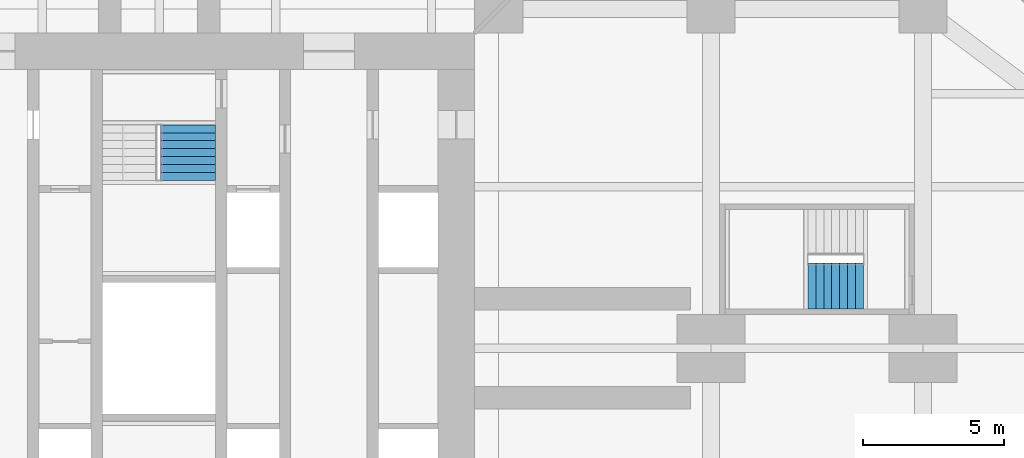
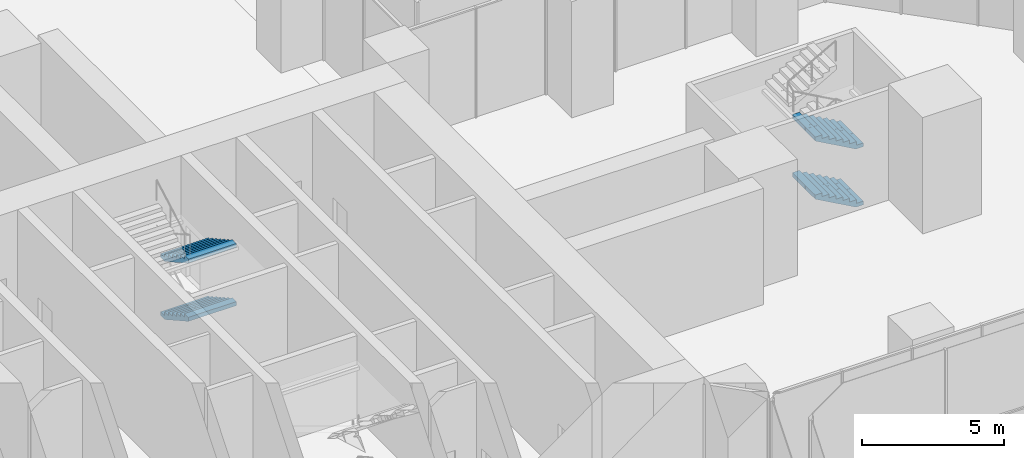
# One storey, part 21 of 23: 4 stair flights, 2 elements without a shape of their own.
"""IFC4 building model written with IfcOpenShell, lengths in metres."""

from ifc_helpers import new_model, si_unit, direction, frame, origin, place, context, subcontext, project, spatial, polyline, outline, extrude, material, type_object, element, aggregate, save


model = new_model("IFC4")

# Units and contexts
model_context = context("Model", 3, precision=1e-05, world=origin(), true_north=direction((0.0, 1.0)))
body_context = subcontext(model_context, "Body", "Model", "MODEL_VIEW")
ifc_project = project(units=[si_unit("LENGTHUNIT", "METRE"), si_unit("AREAUNIT", "SQUARE_METRE"), si_unit("VOLUMEUNIT", "CUBIC_METRE"), si_unit("PLANEANGLEUNIT", "RADIAN"), si_unit("MASSUNIT", "GRAM", prefix="KILO")], contexts=[model_context])

# Site, building, storey
site_placement = place(None, origin())
site = spatial("IfcSite", under=ifc_project, at=site_placement, CompositionType="ELEMENT")
building_placement = place(site_placement, origin())
building = spatial("IfcBuilding", under=site, at=building_placement, Name="Mizan Broadcast Tower", CompositionType="ELEMENT")
storey_placement = place(building_placement, frame((0.0, 0.0, 23.0)))
storey = spatial("IfcBuildingStorey", under=building, at=storey_placement, Name="L03", CompositionType="ELEMENT", Elevation=23.0)

# Stair, stair flights
ifc_material_1 = material(Name="Concrete C40/50", Category="concrete")
stair_type = type_object("IfcStairType", Name="EXIT STAIR", PredefinedType="HALF_TURN_STAIR", material=ifc_material_1)
stair_1_placement = place(storey_placement, origin())
stair_1 = element("IfcStair", 1, at=stair_1_placement, inside=storey, type_object=stair_type, Name="Stair B L03", PredefinedType="HALF_TURN_STAIR")
ifc_material_2 = material(Name="Concrete C40/50", Category="concrete")
stair_flight_type = type_object("IfcStairFlightType", Name="EXIT STAIR FLIGHT", PredefinedType="STRAIGHT", material=ifc_material_2)
stair_flight_1_placement = place(storey_placement, frame((1.02490234375, 7.89990234375, 0.0), z_axis=(0.0, 0.0, 1.0), x_axis=(0.0, -1.0, 0.0)))
stair_flight_1 = element("IfcStairFlight", 2, at=stair_flight_1_placement, type_object=stair_flight_type, Name="B flight 1", NumberOfRisers=8, NumberOfTreads=7, PredefinedType="STRAIGHT", RiserHeight=0.15625, TreadLength=0.28, context=body_context, shape_type="SweptSolid", body=[
    extrude(outline(polyline([(0.0, 0.0), (0.0, 0.15625), (0.280029296875, 0.15625), (0.280029296875, 0.3125), (0.56005859375, 0.3125), (0.56005859375, 0.46875), (0.840087890625, 0.46875), (0.840087890625, 0.625), (1.1201171875, 0.625), (1.1201171875, 0.78125), (1.39990234375, 0.78125), (1.39990234375, 0.9375), (1.679931640625, 0.9375), (1.679931640625, 1.09375), (1.9599609375, 1.09375), (1.9599609375, 1.25), (1.9599609375, 0.922119140625), (0.3076171875, 0.0), (0.0, 0.0)])), frame((0.0, 0.97509765625, 0.0), z_axis=(0.0, -1.0, 0.0), x_axis=(1.0, 0.0, 0.0)), (0.0, 0.0, 1.0), 0.4873046875),
    extrude(outline(polyline([(0.0, 0.0), (0.0, 0.15625), (0.280029296875, 0.15625), (0.280029296875, 0.3125), (0.56005859375, 0.3125), (0.56005859375, 0.46875), (0.840087890625, 0.46875), (0.840087890625, 0.625), (1.1201171875, 0.625), (1.1201171875, 0.78125), (1.39990234375, 0.78125), (1.39990234375, 0.9375), (1.679931640625, 0.9375), (1.679931640625, 1.09375), (1.9599609375, 1.09375), (1.9599609375, 1.25), (1.9599609375, 0.922119140625), (0.3076171875, 0.0), (0.0, 0.0)])), frame((0.0, 0.4873046875, 0.0), z_axis=(0.0, -1.0, 0.0), x_axis=(1.0, 0.0, 0.0)), (0.0, 0.0, 1.0), 0.2431640625),
    extrude(outline(polyline([(0.0, 0.0), (0.0, 0.15625), (0.280029296875, 0.15625), (0.280029296875, 0.3125), (0.56005859375, 0.3125), (0.56005859375, 0.46875), (0.840087890625, 0.46875), (0.840087890625, 0.625), (1.1201171875, 0.625), (1.1201171875, 0.78125), (1.39990234375, 0.78125), (1.39990234375, 0.9375), (1.679931640625, 0.9375), (1.679931640625, 1.09375), (1.9599609375, 1.09375), (1.9599609375, 1.25), (1.9599609375, 0.922119140625), (0.3076171875, 0.0), (0.0, 0.0)])), frame((0.0, 0.24365234375, 0.0), z_axis=(0.0, -1.0, 0.0), x_axis=(1.0, 0.0, 0.0)), (0.0, 0.0, 1.0), 0.121337890625),
    extrude(outline(polyline([(0.0, 0.0), (0.0, 0.15625), (0.280029296875, 0.15625), (0.280029296875, 0.3125), (0.56005859375, 0.3125), (0.56005859375, 0.46875), (0.840087890625, 0.46875), (0.840087890625, 0.625), (1.1201171875, 0.625), (1.1201171875, 0.78125), (1.39990234375, 0.78125), (1.39990234375, 0.9375), (1.679931640625, 0.9375), (1.679931640625, 1.09375), (1.9599609375, 1.09375), (1.9599609375, 1.25), (1.9599609375, 0.922119140625), (0.3076171875, 0.0), (0.0, 0.0)])), frame((0.0, 0.121826171875, 0.0), z_axis=(0.0, -1.0, 0.0), x_axis=(1.0, 0.0, 0.0)), (0.0, 0.0, 1.0), 0.060546875),
    extrude(outline(polyline([(0.0, 0.0), (0.0, 0.15625), (0.280029296875, 0.15625), (0.280029296875, 0.3125), (0.56005859375, 0.3125), (0.56005859375, 0.46875), (0.840087890625, 0.46875), (0.840087890625, 0.625), (1.1201171875, 0.625), (1.1201171875, 0.78125), (1.39990234375, 0.78125), (1.39990234375, 0.9375), (1.679931640625, 0.9375), (1.679931640625, 1.09375), (1.9599609375, 1.09375), (1.9599609375, 1.25), (1.9599609375, 0.922119140625), (0.3076171875, 0.0), (0.0, 0.0)])), frame((0.0, 0.060791015625, 0.0), z_axis=(0.0, -1.0, 0.0), x_axis=(1.0, 0.0, 0.0)), (0.0, 0.0, 1.0), 0.030029296875),
    extrude(outline(polyline([(0.0, 0.0), (0.0, 0.15625), (0.280029296875, 0.15625), (0.280029296875, 0.3125), (0.56005859375, 0.3125), (0.56005859375, 0.46875), (0.840087890625, 0.46875), (0.840087890625, 0.625), (1.1201171875, 0.625), (1.1201171875, 0.78125), (1.39990234375, 0.78125), (1.39990234375, 0.9375), (1.679931640625, 0.9375), (1.679931640625, 1.09375), (1.9599609375, 1.09375), (1.9599609375, 1.25), (1.9599609375, 0.922119140625), (0.3076171875, 0.0), (0.0, 0.0)])), frame((0.0, 0.0302734375, 0.0), z_axis=(0.0, -1.0, 0.0), x_axis=(1.0, 0.0, 0.0)), (0.0, 0.0, 1.0), 0.060302734375),
    extrude(outline(polyline([(0.0, 0.0), (0.0, 0.15625), (0.280029296875, 0.15625), (0.280029296875, 0.3125), (0.56005859375, 0.3125), (0.56005859375, 0.46875), (0.840087890625, 0.46875), (0.840087890625, 0.625), (1.1201171875, 0.625), (1.1201171875, 0.78125), (1.39990234375, 0.78125), (1.39990234375, 0.9375), (1.679931640625, 0.9375), (1.679931640625, 1.09375), (1.9599609375, 1.09375), (1.9599609375, 1.25), (1.9599609375, 0.922119140625), (0.3076171875, 0.0), (0.0, 0.0)])), frame((0.0, -0.030517578125, 0.0), z_axis=(0.0, -1.0, 0.0), x_axis=(1.0, 0.0, 0.0)), (0.0, 0.0, 1.0), 0.030029296875),
    extrude(outline(polyline([(0.0, 0.0), (0.0, 0.15625), (0.280029296875, 0.15625), (0.280029296875, 0.3125), (0.56005859375, 0.3125), (0.56005859375, 0.46875), (0.840087890625, 0.46875), (0.840087890625, 0.625), (1.1201171875, 0.625), (1.1201171875, 0.78125), (1.39990234375, 0.78125), (1.39990234375, 0.9375), (1.679931640625, 0.9375), (1.679931640625, 1.09375), (1.9599609375, 1.09375), (1.9599609375, 1.25), (1.9599609375, 0.922119140625), (0.3076171875, 0.0), (0.0, 0.0)])), frame((0.0, -0.06103515625, 0.0), z_axis=(0.0, -1.0, 0.0), x_axis=(1.0, 0.0, 0.0)), (0.0, 0.0, 1.0), 0.060546875),
    extrude(outline(polyline([(0.0, 0.0), (0.0, 0.15625), (0.280029296875, 0.15625), (0.280029296875, 0.3125), (0.56005859375, 0.3125), (0.56005859375, 0.46875), (0.840087890625, 0.46875), (0.840087890625, 0.625), (1.1201171875, 0.625), (1.1201171875, 0.78125), (1.39990234375, 0.78125), (1.39990234375, 0.9375), (1.679931640625, 0.9375), (1.679931640625, 1.09375), (1.9599609375, 1.09375), (1.9599609375, 1.25), (1.9599609375, 0.922119140625), (0.3076171875, 0.0), (0.0, 0.0)])), frame((0.0, -0.1220703125, 0.0), z_axis=(0.0, -1.0, 0.0), x_axis=(1.0, 0.0, 0.0)), (0.0, 0.0, 1.0), 0.121337890625),
    extrude(outline(polyline([(0.0, 0.0), (0.0, 0.15625), (0.280029296875, 0.15625), (0.280029296875, 0.3125), (0.56005859375, 0.3125), (0.56005859375, 0.46875), (0.840087890625, 0.46875), (0.840087890625, 0.625), (1.1201171875, 0.625), (1.1201171875, 0.78125), (1.39990234375, 0.78125), (1.39990234375, 0.9375), (1.679931640625, 0.9375), (1.679931640625, 1.09375), (1.9599609375, 1.09375), (1.9599609375, 1.25), (1.9599609375, 0.922119140625), (0.3076171875, 0.0), (0.0, 0.0)])), frame((0.0, -0.243896484375, 0.0), z_axis=(0.0, -1.0, 0.0), x_axis=(1.0, 0.0, 0.0)), (0.0, 0.0, 1.0), 0.2431640625),
    extrude(outline(polyline([(0.0, 0.0), (0.0, 0.15625), (0.280029296875, 0.15625), (0.280029296875, 0.3125), (0.56005859375, 0.3125), (0.56005859375, 0.46875), (0.840087890625, 0.46875), (0.840087890625, 0.625), (1.1201171875, 0.625), (1.1201171875, 0.78125), (1.39990234375, 0.78125), (1.39990234375, 0.9375), (1.679931640625, 0.9375), (1.679931640625, 1.09375), (1.9599609375, 1.09375), (1.9599609375, 1.25), (1.9599609375, 0.922119140625), (0.3076171875, 0.0), (0.0, 0.0)])), frame((0.0, -0.487548828125, 0.0), z_axis=(0.0, -1.0, 0.0), x_axis=(1.0, 0.0, 0.0)), (0.0, 0.0, 1.0), 0.4873046875),
])
stair_flight_2_placement = place(storey_placement, frame((1.02490234375, 7.89990234375, 2.5), z_axis=(0.0, 0.0, 1.0), x_axis=(0.0, -1.0, 0.0)))
stair_flight_2 = element("IfcStairFlight", 3, at=stair_flight_2_placement, type_object=stair_flight_type, Name="B flight 3", NumberOfRisers=8, NumberOfTreads=7, PredefinedType="STRAIGHT", RiserHeight=0.15625, TreadLength=0.28, context=body_context, shape_type="SweptSolid", body=[
    extrude(outline(polyline([(0.0, 0.0), (0.0, 0.15625), (0.280029296875, 0.15625), (0.280029296875, 0.3125), (0.56005859375, 0.3125), (0.56005859375, 0.46875), (0.840087890625, 0.46875), (0.840087890625, 0.625), (1.1201171875, 0.625), (1.1201171875, 0.78125), (1.39990234375, 0.78125), (1.39990234375, 0.9375), (1.679931640625, 0.9375), (1.679931640625, 1.09375), (1.9599609375, 1.09375), (1.9599609375, 1.25), (1.9599609375, 0.922119140625), (0.3076171875, 0.0), (0.0, 0.0)])), frame((0.0, 0.97509765625, 0.0), z_axis=(0.0, -1.0, 0.0), x_axis=(1.0, 0.0, 0.0)), (0.0, 0.0, 1.0), 0.4873046875),
    extrude(outline(polyline([(0.0, 0.0), (0.0, 0.15625), (0.280029296875, 0.15625), (0.280029296875, 0.3125), (0.56005859375, 0.3125), (0.56005859375, 0.46875), (0.840087890625, 0.46875), (0.840087890625, 0.625), (1.1201171875, 0.625), (1.1201171875, 0.78125), (1.39990234375, 0.78125), (1.39990234375, 0.9375), (1.679931640625, 0.9375), (1.679931640625, 1.09375), (1.9599609375, 1.09375), (1.9599609375, 1.25), (1.9599609375, 0.922119140625), (0.3076171875, 0.0), (0.0, 0.0)])), frame((0.0, 0.4873046875, 0.0), z_axis=(0.0, -1.0, 0.0), x_axis=(1.0, 0.0, 0.0)), (0.0, 0.0, 1.0), 0.2431640625),
    extrude(outline(polyline([(0.0, 0.0), (0.0, 0.15625), (0.280029296875, 0.15625), (0.280029296875, 0.3125), (0.56005859375, 0.3125), (0.56005859375, 0.46875), (0.840087890625, 0.46875), (0.840087890625, 0.625), (1.1201171875, 0.625), (1.1201171875, 0.78125), (1.39990234375, 0.78125), (1.39990234375, 0.9375), (1.679931640625, 0.9375), (1.679931640625, 1.09375), (1.9599609375, 1.09375), (1.9599609375, 1.25), (1.9599609375, 0.922119140625), (0.3076171875, 0.0), (0.0, 0.0)])), frame((0.0, 0.24365234375, 0.0), z_axis=(0.0, -1.0, 0.0), x_axis=(1.0, 0.0, 0.0)), (0.0, 0.0, 1.0), 0.121337890625),
    extrude(outline(polyline([(0.0, 0.0), (0.0, 0.15625), (0.280029296875, 0.15625), (0.280029296875, 0.3125), (0.56005859375, 0.3125), (0.56005859375, 0.46875), (0.840087890625, 0.46875), (0.840087890625, 0.625), (1.1201171875, 0.625), (1.1201171875, 0.78125), (1.39990234375, 0.78125), (1.39990234375, 0.9375), (1.679931640625, 0.9375), (1.679931640625, 1.09375), (1.9599609375, 1.09375), (1.9599609375, 1.25), (1.9599609375, 0.922119140625), (0.3076171875, 0.0), (0.0, 0.0)])), frame((0.0, 0.121826171875, 0.0), z_axis=(0.0, -1.0, 0.0), x_axis=(1.0, 0.0, 0.0)), (0.0, 0.0, 1.0), 0.060546875),
    extrude(outline(polyline([(0.0, 0.0), (0.0, 0.15625), (0.280029296875, 0.15625), (0.280029296875, 0.3125), (0.56005859375, 0.3125), (0.56005859375, 0.46875), (0.840087890625, 0.46875), (0.840087890625, 0.625), (1.1201171875, 0.625), (1.1201171875, 0.78125), (1.39990234375, 0.78125), (1.39990234375, 0.9375), (1.679931640625, 0.9375), (1.679931640625, 1.09375), (1.9599609375, 1.09375), (1.9599609375, 1.25), (1.9599609375, 0.922119140625), (0.3076171875, 0.0), (0.0, 0.0)])), frame((0.0, 0.060791015625, 0.0), z_axis=(0.0, -1.0, 0.0), x_axis=(1.0, 0.0, 0.0)), (0.0, 0.0, 1.0), 0.030029296875),
    extrude(outline(polyline([(0.0, 0.0), (0.0, 0.15625), (0.280029296875, 0.15625), (0.280029296875, 0.3125), (0.56005859375, 0.3125), (0.56005859375, 0.46875), (0.840087890625, 0.46875), (0.840087890625, 0.625), (1.1201171875, 0.625), (1.1201171875, 0.78125), (1.39990234375, 0.78125), (1.39990234375, 0.9375), (1.679931640625, 0.9375), (1.679931640625, 1.09375), (1.9599609375, 1.09375), (1.9599609375, 1.25), (1.9599609375, 0.922119140625), (0.3076171875, 0.0), (0.0, 0.0)])), frame((0.0, 0.0302734375, 0.0), z_axis=(0.0, -1.0, 0.0), x_axis=(1.0, 0.0, 0.0)), (0.0, 0.0, 1.0), 0.060302734375),
    extrude(outline(polyline([(0.0, 0.0), (0.0, 0.15625), (0.280029296875, 0.15625), (0.280029296875, 0.3125), (0.56005859375, 0.3125), (0.56005859375, 0.46875), (0.840087890625, 0.46875), (0.840087890625, 0.625), (1.1201171875, 0.625), (1.1201171875, 0.78125), (1.39990234375, 0.78125), (1.39990234375, 0.9375), (1.679931640625, 0.9375), (1.679931640625, 1.09375), (1.9599609375, 1.09375), (1.9599609375, 1.25), (1.9599609375, 0.922119140625), (0.3076171875, 0.0), (0.0, 0.0)])), frame((0.0, -0.030517578125, 0.0), z_axis=(0.0, -1.0, 0.0), x_axis=(1.0, 0.0, 0.0)), (0.0, 0.0, 1.0), 0.030029296875),
    extrude(outline(polyline([(0.0, 0.0), (0.0, 0.15625), (0.280029296875, 0.15625), (0.280029296875, 0.3125), (0.56005859375, 0.3125), (0.56005859375, 0.46875), (0.840087890625, 0.46875), (0.840087890625, 0.625), (1.1201171875, 0.625), (1.1201171875, 0.78125), (1.39990234375, 0.78125), (1.39990234375, 0.9375), (1.679931640625, 0.9375), (1.679931640625, 1.09375), (1.9599609375, 1.09375), (1.9599609375, 1.25), (1.9599609375, 0.922119140625), (0.3076171875, 0.0), (0.0, 0.0)])), frame((0.0, -0.06103515625, 0.0), z_axis=(0.0, -1.0, 0.0), x_axis=(1.0, 0.0, 0.0)), (0.0, 0.0, 1.0), 0.060546875),
    extrude(outline(polyline([(0.0, 0.0), (0.0, 0.15625), (0.280029296875, 0.15625), (0.280029296875, 0.3125), (0.56005859375, 0.3125), (0.56005859375, 0.46875), (0.840087890625, 0.46875), (0.840087890625, 0.625), (1.1201171875, 0.625), (1.1201171875, 0.78125), (1.39990234375, 0.78125), (1.39990234375, 0.9375), (1.679931640625, 0.9375), (1.679931640625, 1.09375), (1.9599609375, 1.09375), (1.9599609375, 1.25), (1.9599609375, 0.922119140625), (0.3076171875, 0.0), (0.0, 0.0)])), frame((0.0, -0.1220703125, 0.0), z_axis=(0.0, -1.0, 0.0), x_axis=(1.0, 0.0, 0.0)), (0.0, 0.0, 1.0), 0.121337890625),
    extrude(outline(polyline([(0.0, 0.0), (0.0, 0.15625), (0.280029296875, 0.15625), (0.280029296875, 0.3125), (0.56005859375, 0.3125), (0.56005859375, 0.46875), (0.840087890625, 0.46875), (0.840087890625, 0.625), (1.1201171875, 0.625), (1.1201171875, 0.78125), (1.39990234375, 0.78125), (1.39990234375, 0.9375), (1.679931640625, 0.9375), (1.679931640625, 1.09375), (1.9599609375, 1.09375), (1.9599609375, 1.25), (1.9599609375, 0.922119140625), (0.3076171875, 0.0), (0.0, 0.0)])), frame((0.0, -0.243896484375, 0.0), z_axis=(0.0, -1.0, 0.0), x_axis=(1.0, 0.0, 0.0)), (0.0, 0.0, 1.0), 0.2431640625),
    extrude(outline(polyline([(0.0, 0.0), (0.0, 0.15625), (0.280029296875, 0.15625), (0.280029296875, 0.3125), (0.56005859375, 0.3125), (0.56005859375, 0.46875), (0.840087890625, 0.46875), (0.840087890625, 0.625), (1.1201171875, 0.625), (1.1201171875, 0.78125), (1.39990234375, 0.78125), (1.39990234375, 0.9375), (1.679931640625, 0.9375), (1.679931640625, 1.09375), (1.9599609375, 1.09375), (1.9599609375, 1.25), (1.9599609375, 0.922119140625), (0.3076171875, 0.0), (0.0, 0.0)])), frame((0.0, -0.487548828125, 0.0), z_axis=(0.0, -1.0, 0.0), x_axis=(1.0, 0.0, 0.0)), (0.0, 0.0, 1.0), 0.4873046875),
])
aggregate(stair_1, [stair_flight_1, stair_flight_2])

stair_2_placement = place(storey_placement, origin())
stair_2 = element("IfcStair", 4, at=stair_2_placement, inside=storey, type_object=stair_type, Name="Stair C L03", PredefinedType="HALF_TURN_STAIR")
stair_flight_3_placement = place(storey_placement, frame((24.889892578125, 2.205078125, 0.0), z_axis=(0.0, 0.0, 1.0), x_axis=(-1.0, 0.0, 0.0)))
stair_flight_3 = element("IfcStairFlight", 5, at=stair_flight_3_placement, type_object=stair_flight_type, Name="C flight 1", NumberOfRisers=8, NumberOfTreads=7, PredefinedType="STRAIGHT", RiserHeight=0.15625, TreadLength=0.28, context=body_context, shape_type="SweptSolid", body=[
    extrude(outline(polyline([(0.0, 0.0), (0.0, 0.15625), (0.280029296875, 0.15625), (0.280029296875, 0.3125), (0.56005859375, 0.3125), (0.56005859375, 0.46875), (0.840087890625, 0.46875), (0.840087890625, 0.625), (1.1201171875, 0.625), (1.1201171875, 0.78125), (1.39990234375, 0.78125), (1.39990234375, 0.9375), (1.679931640625, 0.9375), (1.679931640625, 1.09375), (1.9599609375, 1.09375), (1.9599609375, 1.25), (1.9599609375, 0.922119140625), (0.3076171875, 0.0), (0.0, 0.0)])), frame((0.0, 0.80517578125, 0.0), z_axis=(0.0, -1.0, 0.0), x_axis=(1.0, 0.0, 0.0)), (0.0, 0.0, 1.0), 0.40234375),
    extrude(outline(polyline([(0.0, 0.0), (0.0, 0.15625), (0.280029296875, 0.15625), (0.280029296875, 0.3125), (0.56005859375, 0.3125), (0.56005859375, 0.46875), (0.840087890625, 0.46875), (0.840087890625, 0.625), (1.1201171875, 0.625), (1.1201171875, 0.78125), (1.39990234375, 0.78125), (1.39990234375, 0.9375), (1.679931640625, 0.9375), (1.679931640625, 1.09375), (1.9599609375, 1.09375), (1.9599609375, 1.25), (1.9599609375, 0.922119140625), (0.3076171875, 0.0), (0.0, 0.0)])), frame((0.0, 0.40234375, 0.0), z_axis=(0.0, -1.0, 0.0), x_axis=(1.0, 0.0, 0.0)), (0.0, 0.0, 1.0), 0.20068359375),
    extrude(outline(polyline([(0.0, 0.0), (0.0, 0.15625), (0.280029296875, 0.15625), (0.280029296875, 0.3125), (0.56005859375, 0.3125), (0.56005859375, 0.46875), (0.840087890625, 0.46875), (0.840087890625, 0.625), (1.1201171875, 0.625), (1.1201171875, 0.78125), (1.39990234375, 0.78125), (1.39990234375, 0.9375), (1.679931640625, 0.9375), (1.679931640625, 1.09375), (1.9599609375, 1.09375), (1.9599609375, 1.25), (1.9599609375, 0.922119140625), (0.3076171875, 0.0), (0.0, 0.0)])), frame((0.0, 0.201171875, 0.0), z_axis=(0.0, -1.0, 0.0), x_axis=(1.0, 0.0, 0.0)), (0.0, 0.0, 1.0), 0.10009765625),
    extrude(outline(polyline([(0.0, 0.0), (0.0, 0.15625), (0.280029296875, 0.15625), (0.280029296875, 0.3125), (0.56005859375, 0.3125), (0.56005859375, 0.46875), (0.840087890625, 0.46875), (0.840087890625, 0.625), (1.1201171875, 0.625), (1.1201171875, 0.78125), (1.39990234375, 0.78125), (1.39990234375, 0.9375), (1.679931640625, 0.9375), (1.679931640625, 1.09375), (1.9599609375, 1.09375), (1.9599609375, 1.25), (1.9599609375, 0.922119140625), (0.3076171875, 0.0), (0.0, 0.0)])), frame((0.0, 0.1005859375, 0.0), z_axis=(0.0, -1.0, 0.0), x_axis=(1.0, 0.0, 0.0)), (0.0, 0.0, 1.0), 0.0498046875),
    extrude(outline(polyline([(0.0, 0.0), (0.0, 0.15625), (0.280029296875, 0.15625), (0.280029296875, 0.3125), (0.56005859375, 0.3125), (0.56005859375, 0.46875), (0.840087890625, 0.46875), (0.840087890625, 0.625), (1.1201171875, 0.625), (1.1201171875, 0.78125), (1.39990234375, 0.78125), (1.39990234375, 0.9375), (1.679931640625, 0.9375), (1.679931640625, 1.09375), (1.9599609375, 1.09375), (1.9599609375, 1.25), (1.9599609375, 0.922119140625), (0.3076171875, 0.0), (0.0, 0.0)])), frame((0.0, 0.05029296875, 0.0), z_axis=(0.0, -1.0, 0.0), x_axis=(1.0, 0.0, 0.0)), (0.0, 0.0, 1.0), 0.024658203125),
    extrude(outline(polyline([(0.0, 0.0), (0.0, 0.15625), (0.280029296875, 0.15625), (0.280029296875, 0.3125), (0.56005859375, 0.3125), (0.56005859375, 0.46875), (0.840087890625, 0.46875), (0.840087890625, 0.625), (1.1201171875, 0.625), (1.1201171875, 0.78125), (1.39990234375, 0.78125), (1.39990234375, 0.9375), (1.679931640625, 0.9375), (1.679931640625, 1.09375), (1.9599609375, 1.09375), (1.9599609375, 1.25), (1.9599609375, 0.922119140625), (0.3076171875, 0.0), (0.0, 0.0)])), frame((0.0, 0.025146484375, 0.0), z_axis=(0.0, -1.0, 0.0), x_axis=(1.0, 0.0, 0.0)), (0.0, 0.0, 1.0), 0.050048828125),
    extrude(outline(polyline([(0.0, 0.0), (0.0, 0.15625), (0.280029296875, 0.15625), (0.280029296875, 0.3125), (0.56005859375, 0.3125), (0.56005859375, 0.46875), (0.840087890625, 0.46875), (0.840087890625, 0.625), (1.1201171875, 0.625), (1.1201171875, 0.78125), (1.39990234375, 0.78125), (1.39990234375, 0.9375), (1.679931640625, 0.9375), (1.679931640625, 1.09375), (1.9599609375, 1.09375), (1.9599609375, 1.25), (1.9599609375, 0.922119140625), (0.3076171875, 0.0), (0.0, 0.0)])), frame((0.0, -0.025390625, 0.0), z_axis=(0.0, -1.0, 0.0), x_axis=(1.0, 0.0, 0.0)), (0.0, 0.0, 1.0), 0.024658203125),
    extrude(outline(polyline([(0.0, 0.0), (0.0, 0.15625), (0.280029296875, 0.15625), (0.280029296875, 0.3125), (0.56005859375, 0.3125), (0.56005859375, 0.46875), (0.840087890625, 0.46875), (0.840087890625, 0.625), (1.1201171875, 0.625), (1.1201171875, 0.78125), (1.39990234375, 0.78125), (1.39990234375, 0.9375), (1.679931640625, 0.9375), (1.679931640625, 1.09375), (1.9599609375, 1.09375), (1.9599609375, 1.25), (1.9599609375, 0.922119140625), (0.3076171875, 0.0), (0.0, 0.0)])), frame((0.0, -0.050537109375, 0.0), z_axis=(0.0, -1.0, 0.0), x_axis=(1.0, 0.0, 0.0)), (0.0, 0.0, 1.0), 0.0498046875),
    extrude(outline(polyline([(0.0, 0.0), (0.0, 0.15625), (0.280029296875, 0.15625), (0.280029296875, 0.3125), (0.56005859375, 0.3125), (0.56005859375, 0.46875), (0.840087890625, 0.46875), (0.840087890625, 0.625), (1.1201171875, 0.625), (1.1201171875, 0.78125), (1.39990234375, 0.78125), (1.39990234375, 0.9375), (1.679931640625, 0.9375), (1.679931640625, 1.09375), (1.9599609375, 1.09375), (1.9599609375, 1.25), (1.9599609375, 0.922119140625), (0.3076171875, 0.0), (0.0, 0.0)])), frame((0.0, -0.100830078125, 0.0), z_axis=(0.0, -1.0, 0.0), x_axis=(1.0, 0.0, 0.0)), (0.0, 0.0, 1.0), 0.10009765625),
    extrude(outline(polyline([(0.0, 0.0), (0.0, 0.15625), (0.280029296875, 0.15625), (0.280029296875, 0.3125), (0.56005859375, 0.3125), (0.56005859375, 0.46875), (0.840087890625, 0.46875), (0.840087890625, 0.625), (1.1201171875, 0.625), (1.1201171875, 0.78125), (1.39990234375, 0.78125), (1.39990234375, 0.9375), (1.679931640625, 0.9375), (1.679931640625, 1.09375), (1.9599609375, 1.09375), (1.9599609375, 1.25), (1.9599609375, 0.922119140625), (0.3076171875, 0.0), (0.0, 0.0)])), frame((0.0, -0.201416015625, 0.0), z_axis=(0.0, -1.0, 0.0), x_axis=(1.0, 0.0, 0.0)), (0.0, 0.0, 1.0), 0.20068359375),
    extrude(outline(polyline([(0.0, 0.0), (0.0, 0.15625), (0.280029296875, 0.15625), (0.280029296875, 0.3125), (0.56005859375, 0.3125), (0.56005859375, 0.46875), (0.840087890625, 0.46875), (0.840087890625, 0.625), (1.1201171875, 0.625), (1.1201171875, 0.78125), (1.39990234375, 0.78125), (1.39990234375, 0.9375), (1.679931640625, 0.9375), (1.679931640625, 1.09375), (1.9599609375, 1.09375), (1.9599609375, 1.25), (1.9599609375, 0.922119140625), (0.3076171875, 0.0), (0.0, 0.0)])), frame((0.0, -0.402587890625, 0.0), z_axis=(0.0, -1.0, 0.0), x_axis=(1.0, 0.0, 0.0)), (0.0, 0.0, 1.0), 0.40234375),
])
stair_flight_4_placement = place(storey_placement, frame((24.889892578125, 2.205078125, 2.5), z_axis=(0.0, 0.0, 1.0), x_axis=(-1.0, 0.0, 0.0)))
stair_flight_4 = element("IfcStairFlight", 6, at=stair_flight_4_placement, type_object=stair_flight_type, Name="C flight 3", NumberOfRisers=8, NumberOfTreads=7, PredefinedType="STRAIGHT", RiserHeight=0.15625, TreadLength=0.28, context=body_context, shape_type="SweptSolid", body=[
    extrude(outline(polyline([(0.0, 0.0), (0.0, 0.15625), (0.280029296875, 0.15625), (0.280029296875, 0.3125), (0.56005859375, 0.3125), (0.56005859375, 0.46875), (0.840087890625, 0.46875), (0.840087890625, 0.625), (1.1201171875, 0.625), (1.1201171875, 0.78125), (1.39990234375, 0.78125), (1.39990234375, 0.9375), (1.679931640625, 0.9375), (1.679931640625, 1.09375), (1.9599609375, 1.09375), (1.9599609375, 1.25), (1.9599609375, 0.922119140625), (0.3076171875, 0.0), (0.0, 0.0)])), frame((0.0, 0.80517578125, 0.0), z_axis=(0.0, -1.0, 0.0), x_axis=(1.0, 0.0, 0.0)), (0.0, 0.0, 1.0), 0.40234375),
    extrude(outline(polyline([(0.0, 0.0), (0.0, 0.15625), (0.280029296875, 0.15625), (0.280029296875, 0.3125), (0.56005859375, 0.3125), (0.56005859375, 0.46875), (0.840087890625, 0.46875), (0.840087890625, 0.625), (1.1201171875, 0.625), (1.1201171875, 0.78125), (1.39990234375, 0.78125), (1.39990234375, 0.9375), (1.679931640625, 0.9375), (1.679931640625, 1.09375), (1.9599609375, 1.09375), (1.9599609375, 1.25), (1.9599609375, 0.922119140625), (0.3076171875, 0.0), (0.0, 0.0)])), frame((0.0, 0.40234375, 0.0), z_axis=(0.0, -1.0, 0.0), x_axis=(1.0, 0.0, 0.0)), (0.0, 0.0, 1.0), 0.20068359375),
    extrude(outline(polyline([(0.0, 0.0), (0.0, 0.15625), (0.280029296875, 0.15625), (0.280029296875, 0.3125), (0.56005859375, 0.3125), (0.56005859375, 0.46875), (0.840087890625, 0.46875), (0.840087890625, 0.625), (1.1201171875, 0.625), (1.1201171875, 0.78125), (1.39990234375, 0.78125), (1.39990234375, 0.9375), (1.679931640625, 0.9375), (1.679931640625, 1.09375), (1.9599609375, 1.09375), (1.9599609375, 1.25), (1.9599609375, 0.922119140625), (0.3076171875, 0.0), (0.0, 0.0)])), frame((0.0, 0.201171875, 0.0), z_axis=(0.0, -1.0, 0.0), x_axis=(1.0, 0.0, 0.0)), (0.0, 0.0, 1.0), 0.10009765625),
    extrude(outline(polyline([(0.0, 0.0), (0.0, 0.15625), (0.280029296875, 0.15625), (0.280029296875, 0.3125), (0.56005859375, 0.3125), (0.56005859375, 0.46875), (0.840087890625, 0.46875), (0.840087890625, 0.625), (1.1201171875, 0.625), (1.1201171875, 0.78125), (1.39990234375, 0.78125), (1.39990234375, 0.9375), (1.679931640625, 0.9375), (1.679931640625, 1.09375), (1.9599609375, 1.09375), (1.9599609375, 1.25), (1.9599609375, 0.922119140625), (0.3076171875, 0.0), (0.0, 0.0)])), frame((0.0, 0.1005859375, 0.0), z_axis=(0.0, -1.0, 0.0), x_axis=(1.0, 0.0, 0.0)), (0.0, 0.0, 1.0), 0.0498046875),
    extrude(outline(polyline([(0.0, 0.0), (0.0, 0.15625), (0.280029296875, 0.15625), (0.280029296875, 0.3125), (0.56005859375, 0.3125), (0.56005859375, 0.46875), (0.840087890625, 0.46875), (0.840087890625, 0.625), (1.1201171875, 0.625), (1.1201171875, 0.78125), (1.39990234375, 0.78125), (1.39990234375, 0.9375), (1.679931640625, 0.9375), (1.679931640625, 1.09375), (1.9599609375, 1.09375), (1.9599609375, 1.25), (1.9599609375, 0.922119140625), (0.3076171875, 0.0), (0.0, 0.0)])), frame((0.0, 0.05029296875, 0.0), z_axis=(0.0, -1.0, 0.0), x_axis=(1.0, 0.0, 0.0)), (0.0, 0.0, 1.0), 0.024658203125),
    extrude(outline(polyline([(0.0, 0.0), (0.0, 0.15625), (0.280029296875, 0.15625), (0.280029296875, 0.3125), (0.56005859375, 0.3125), (0.56005859375, 0.46875), (0.840087890625, 0.46875), (0.840087890625, 0.625), (1.1201171875, 0.625), (1.1201171875, 0.78125), (1.39990234375, 0.78125), (1.39990234375, 0.9375), (1.679931640625, 0.9375), (1.679931640625, 1.09375), (1.9599609375, 1.09375), (1.9599609375, 1.25), (1.9599609375, 0.922119140625), (0.3076171875, 0.0), (0.0, 0.0)])), frame((0.0, 0.025146484375, 0.0), z_axis=(0.0, -1.0, 0.0), x_axis=(1.0, 0.0, 0.0)), (0.0, 0.0, 1.0), 0.050048828125),
    extrude(outline(polyline([(0.0, 0.0), (0.0, 0.15625), (0.280029296875, 0.15625), (0.280029296875, 0.3125), (0.56005859375, 0.3125), (0.56005859375, 0.46875), (0.840087890625, 0.46875), (0.840087890625, 0.625), (1.1201171875, 0.625), (1.1201171875, 0.78125), (1.39990234375, 0.78125), (1.39990234375, 0.9375), (1.679931640625, 0.9375), (1.679931640625, 1.09375), (1.9599609375, 1.09375), (1.9599609375, 1.25), (1.9599609375, 0.922119140625), (0.3076171875, 0.0), (0.0, 0.0)])), frame((0.0, -0.025390625, 0.0), z_axis=(0.0, -1.0, 0.0), x_axis=(1.0, 0.0, 0.0)), (0.0, 0.0, 1.0), 0.024658203125),
    extrude(outline(polyline([(0.0, 0.0), (0.0, 0.15625), (0.280029296875, 0.15625), (0.280029296875, 0.3125), (0.56005859375, 0.3125), (0.56005859375, 0.46875), (0.840087890625, 0.46875), (0.840087890625, 0.625), (1.1201171875, 0.625), (1.1201171875, 0.78125), (1.39990234375, 0.78125), (1.39990234375, 0.9375), (1.679931640625, 0.9375), (1.679931640625, 1.09375), (1.9599609375, 1.09375), (1.9599609375, 1.25), (1.9599609375, 0.922119140625), (0.3076171875, 0.0), (0.0, 0.0)])), frame((0.0, -0.050537109375, 0.0), z_axis=(0.0, -1.0, 0.0), x_axis=(1.0, 0.0, 0.0)), (0.0, 0.0, 1.0), 0.0498046875),
    extrude(outline(polyline([(0.0, 0.0), (0.0, 0.15625), (0.280029296875, 0.15625), (0.280029296875, 0.3125), (0.56005859375, 0.3125), (0.56005859375, 0.46875), (0.840087890625, 0.46875), (0.840087890625, 0.625), (1.1201171875, 0.625), (1.1201171875, 0.78125), (1.39990234375, 0.78125), (1.39990234375, 0.9375), (1.679931640625, 0.9375), (1.679931640625, 1.09375), (1.9599609375, 1.09375), (1.9599609375, 1.25), (1.9599609375, 0.922119140625), (0.3076171875, 0.0), (0.0, 0.0)])), frame((0.0, -0.100830078125, 0.0), z_axis=(0.0, -1.0, 0.0), x_axis=(1.0, 0.0, 0.0)), (0.0, 0.0, 1.0), 0.10009765625),
    extrude(outline(polyline([(0.0, 0.0), (0.0, 0.15625), (0.280029296875, 0.15625), (0.280029296875, 0.3125), (0.56005859375, 0.3125), (0.56005859375, 0.46875), (0.840087890625, 0.46875), (0.840087890625, 0.625), (1.1201171875, 0.625), (1.1201171875, 0.78125), (1.39990234375, 0.78125), (1.39990234375, 0.9375), (1.679931640625, 0.9375), (1.679931640625, 1.09375), (1.9599609375, 1.09375), (1.9599609375, 1.25), (1.9599609375, 0.922119140625), (0.3076171875, 0.0), (0.0, 0.0)])), frame((0.0, -0.201416015625, 0.0), z_axis=(0.0, -1.0, 0.0), x_axis=(1.0, 0.0, 0.0)), (0.0, 0.0, 1.0), 0.20068359375),
    extrude(outline(polyline([(0.0, 0.0), (0.0, 0.15625), (0.280029296875, 0.15625), (0.280029296875, 0.3125), (0.56005859375, 0.3125), (0.56005859375, 0.46875), (0.840087890625, 0.46875), (0.840087890625, 0.625), (1.1201171875, 0.625), (1.1201171875, 0.78125), (1.39990234375, 0.78125), (1.39990234375, 0.9375), (1.679931640625, 0.9375), (1.679931640625, 1.09375), (1.9599609375, 1.09375), (1.9599609375, 1.25), (1.9599609375, 0.922119140625), (0.3076171875, 0.0), (0.0, 0.0)])), frame((0.0, -0.402587890625, 0.0), z_axis=(0.0, -1.0, 0.0), x_axis=(1.0, 0.0, 0.0)), (0.0, 0.0, 1.0), 0.40234375),
])
aggregate(stair_2, [stair_flight_3, stair_flight_4])

save(model, "model.ifc")
